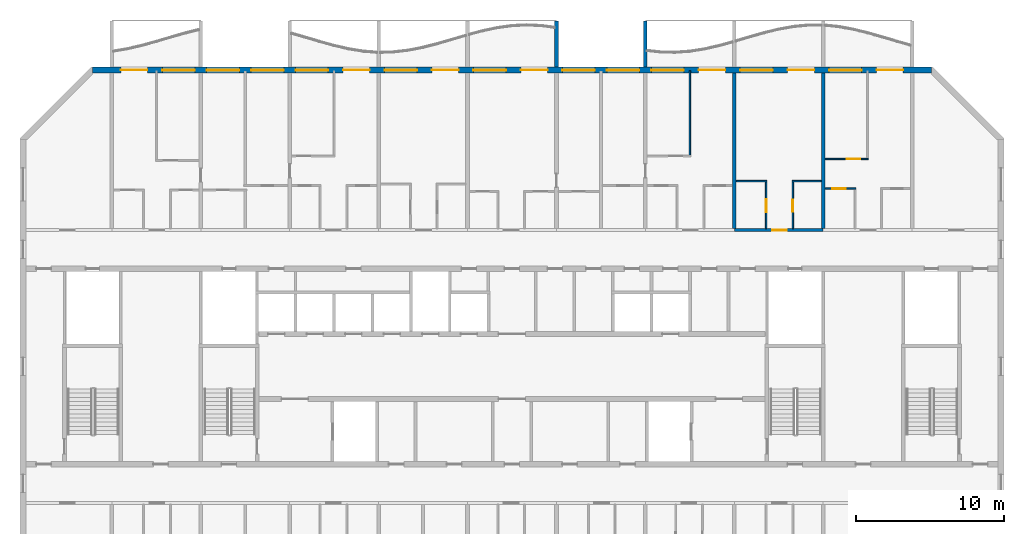
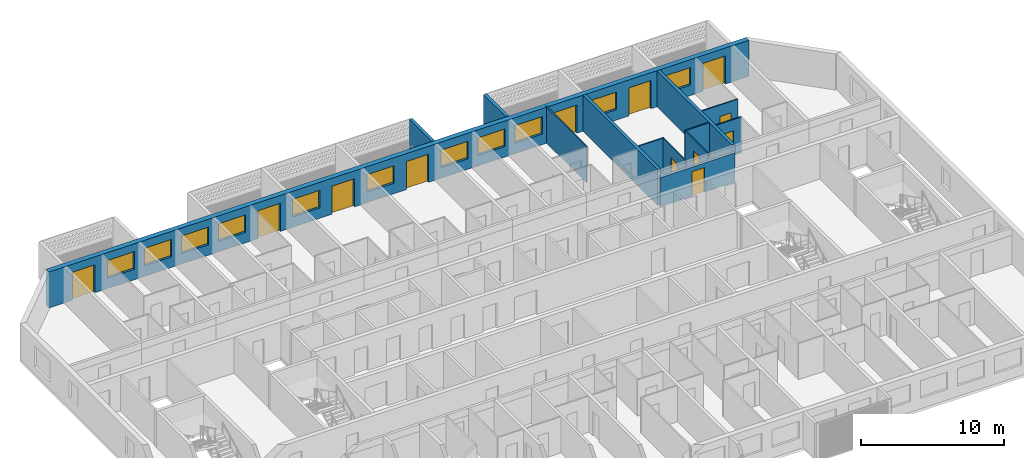
# One storey, part 10 of 29: 13 walls, 12 doors, 11 windows, 23 openings.
"""IFC4 building model written with IfcOpenShell, lengths in metres."""

from ifc_helpers import new_model, si_unit, direction, frame, frame_2d, origin, place, context, subcontext, project, spatial, polyline, rectangle, outline, extrude, source, transform, mapped, material, layer, layer_set, type_object, element, fill, save


model = new_model("IFC4")

# Units and contexts
model_context = context("Model", 3, precision=1e-05, world=origin(), true_north=direction((0.0, 1.0)))
body_context = subcontext(model_context, "Body", "Model", "MODEL_VIEW")
ifc_project = project(units=[si_unit("LENGTHUNIT", "METRE"), si_unit("AREAUNIT", "SQUARE_METRE"), si_unit("VOLUMEUNIT", "CUBIC_METRE"), si_unit("PLANEANGLEUNIT", "RADIAN"), si_unit("MASSUNIT", "GRAM", prefix="KILO")], contexts=[model_context])

# Site, building, storey
site_placement = place(None, origin())
site = spatial("IfcSite", under=ifc_project, at=site_placement, CompositionType="ELEMENT")
building_placement = place(site_placement, origin())
building = spatial("IfcBuilding", under=site, at=building_placement, Name="Poui Terraces", CompositionType="ELEMENT")
storey_placement = place(building_placement, frame((0.0, 0.0, 231.300048828125)))
storey = spatial("IfcBuildingStorey", under=building, at=storey_placement, Name="L64", CompositionType="ELEMENT", Elevation=231.300048828125)

# Wall, opening, door
ifc_material_1 = material(Name="Concrete 50 MPa", Category="concrete")
ifc_layer_1 = layer(ifc_material_1, 0.199951171875)
ifc_layer_set_1 = layer_set([ifc_layer_1], Name="Concrete 50 MPa")
wall_type_1 = type_object("IfcWallType", Name="CORRIDOR WALL 200 50MPa", PredefinedType="SHEAR", material=ifc_layer_set_1)
wall_1_placement = place(storey_placement, frame((66.0, 30.39990234375, 0.0), z_axis=(0.0, 0.0, 1.0), x_axis=(1.0, 0.0, 0.0)))
wall_1 = element("IfcWall", 1, at=wall_1_placement, inside=storey, type_object=wall_type_1, Name="CORRIDOR WALL LINE E BAY 9", PredefinedType="SHEAR", context=body_context, shape_type="SweptSolid", body=[
    extrude(rectangle(XDim=6.0, YDim=0.199951171875, at=frame_2d((3.0, 0.0))), origin(), (0.0, 0.0, 1.0), 2.47998046875),
])
opening_1_placement = place(wall_1_placement, frame((2.550048828125, 0.0, 0.0)))
opening_1 = element("IfcOpeningElement", 2, at=opening_1_placement, cuts=wall_1, Name="Opening FD30S", PredefinedType="OPENING", context=body_context, shape_type="SweptSolid", body=[
    extrude(rectangle(XDim=1.0, YDim=2.10009765625, at=frame_2d((0.5, 1.050048828125))), frame((0.0, 0.10986328125, 0.0), z_axis=(0.0, -1.0, 0.0), x_axis=(1.0, 0.0, 0.0)), (0.0, 0.0, 1.0), 0.219970703125),
])
ifc_material_2 = material(Name="Steel fire door", Category="steel")
door_type_1 = type_object("IfcDoorType", Name="FLAT ENTRANCE DOOR 1000 X 2100", OperationType="NOTDEFINED", PredefinedType="DOOR", material=ifc_material_2)
door_1_placement = place(opening_1_placement, origin())
door_1 = element("IfcDoor", 3, at=door_1_placement, inside=storey, type_object=door_type_1, Name="FLAT ENTRANCE DOOR 056", OperationType="SINGLE_SWING_RIGHT", OverallHeight=2.10009765625, OverallWidth=1.0, PredefinedType="DOOR", context=body_context, shape_type="SweptSolid", body=[
    extrude(rectangle(XDim=1.0, YDim=2.10009765625, at=frame_2d((0.5, 1.050048828125))), frame((0.0, 0.02490234375, 0.0), z_axis=(0.0, -1.0, 0.0), x_axis=(1.0, 0.0, 0.0)), (0.0, 0.0, 1.0), 0.050048828125),
])
fill(opening_1, door_1)

# Walls
ifc_layer_2 = layer(ifc_material_1, 0.25)
ifc_layer_set_2 = layer_set([ifc_layer_2], Name="Concrete 50 MPa")
wall_type_2 = type_object("IfcWallType", Name="CROSS WALL 250 50MPa", PredefinedType="SHEAR", material=ifc_layer_set_2)
for number, where, z_axis, x_axis, name in (
    (4, (66.0, 30.5, 0.0), (0.0, 0.0, 1.0), (0.0, 1.0, 0.0), "CROSS WALL LINE 12 NORTH"),
    (5, (72.0, 30.5, 0.0), (0.0, 0.0, 1.0), (0.0, 1.0, 0.0), "CROSS WALL LINE 13 NORTH"),
):
    element("IfcWall", number, at=place(storey_placement, frame(where, z_axis=z_axis, x_axis=x_axis)), inside=storey, type_object=wall_type_2, Name=name, PredefinedType="SHEAR", context=body_context, shape_type="SweptSolid", body=[
        extrude(rectangle(XDim=10.5, YDim=0.25, at=frame_2d((5.25, 0.0))), origin(), (0.0, 0.0, 1.0), 3.079833984375),
    ])

# Wall, openings, doors, windows
ifc_material_3 = material(Name="Precast concrete 40 MPa", Category="concrete")
ifc_layer_3 = layer(ifc_material_3, 0.39990234375)
ifc_layer_set_3 = layer_set([ifc_layer_3], Name="Precast concrete 40 MPa")
wall_type_3 = type_object("IfcWallType", Name="EXTERNAL WALL 400", PredefinedType="STANDARD", material=ifc_layer_set_3)
wall_2_placement = place(storey_placement, frame((79.317138671875, 41.199951171875, 0.0), z_axis=(0.0, 0.0, 1.0), x_axis=(-1.0, 0.0, 0.0)))
wall_2 = element("IfcWall", 6, at=wall_2_placement, inside=storey, type_object=wall_type_3, Name="EXTERNAL WALL N", PredefinedType="STANDARD", context=body_context, shape_type="SweptSolid", body=[
    extrude(rectangle(XDim=56.63427734375, YDim=0.39990234375, at=frame_2d((28.317138671875, 0.0))), origin(), (0.0, 0.0, 1.0), 3.079833984375),
])
opening_2_placement = place(wall_2_placement, frame((52.917236328125, 0.0, 0.0)))
opening_2 = element("IfcOpeningElement", 7, at=opening_2_placement, cuts=wall_2, Name="Opening BD1", PredefinedType="OPENING", context=body_context, shape_type="SweptSolid", body=[
    extrude(rectangle(XDim=1.800048828125, YDim=2.39990234375, at=frame_2d((0.89990234375, 1.199951171875))), frame((0.0, 0.2099609375, 0.0), z_axis=(0.0, -1.0, 0.0), x_axis=(1.0, 0.0, 0.0)), (0.0, 0.0, 1.0), 0.419921875),
])
opening_3_placement = place(wall_2_placement, frame((49.71728515625, 0.0, 0.89990234375)))
opening_3 = element("IfcOpeningElement", 8, at=opening_3_placement, cuts=wall_2, Name="Opening W1", PredefinedType="OPENING", context=body_context, shape_type="SweptSolid", body=[
    extrude(rectangle(XDim=2.199951171875, YDim=1.5, at=frame_2d((1.10009765625, 0.75))), frame((0.0, 0.2099609375, 0.0), z_axis=(0.0, -1.0, 0.0), x_axis=(1.0, 0.0, 0.0)), (0.0, 0.0, 1.0), 0.419921875),
])
opening_4_placement = place(wall_2_placement, frame((46.71728515625, 0.0, 0.89990234375)))
opening_4 = element("IfcOpeningElement", 9, at=opening_4_placement, cuts=wall_2, Name="Opening W1", PredefinedType="OPENING", context=body_context, shape_type="SweptSolid", body=[
    extrude(rectangle(XDim=2.199951171875, YDim=1.5, at=frame_2d((1.10009765625, 0.75))), frame((0.0, 0.2099609375, 0.0), z_axis=(0.0, -1.0, 0.0), x_axis=(1.0, 0.0, 0.0)), (0.0, 0.0, 1.0), 0.419921875),
])
opening_5_placement = place(wall_2_placement, frame((43.71728515625, 0.0, 0.89990234375)))
opening_5 = element("IfcOpeningElement", 10, at=opening_5_placement, cuts=wall_2, Name="Opening W1", PredefinedType="OPENING", context=body_context, shape_type="SweptSolid", body=[
    extrude(rectangle(XDim=2.199951171875, YDim=1.5, at=frame_2d((1.10009765625, 0.75))), frame((0.0, 0.2099609375, 0.0), z_axis=(0.0, -1.0, 0.0), x_axis=(1.0, 0.0, 0.0)), (0.0, 0.0, 1.0), 0.419921875),
])
opening_6_placement = place(wall_2_placement, frame((40.71728515625, 0.0, 0.89990234375)))
opening_6 = element("IfcOpeningElement", 11, at=opening_6_placement, cuts=wall_2, Name="Opening W1", PredefinedType="OPENING", context=body_context, shape_type="SweptSolid", body=[
    extrude(rectangle(XDim=2.199951171875, YDim=1.5, at=frame_2d((1.10009765625, 0.75))), frame((0.0, 0.2099609375, 0.0), z_axis=(0.0, -1.0, 0.0), x_axis=(1.0, 0.0, 0.0)), (0.0, 0.0, 1.0), 0.419921875),
])
opening_7_placement = place(wall_2_placement, frame((37.917236328125, 0.0, 0.0)))
opening_7 = element("IfcOpeningElement", 12, at=opening_7_placement, cuts=wall_2, Name="Opening BD1", PredefinedType="OPENING", context=body_context, shape_type="SweptSolid", body=[
    extrude(rectangle(XDim=1.800048828125, YDim=2.39990234375, at=frame_2d((0.89990234375, 1.199951171875))), frame((0.0, 0.2099609375, 0.0), z_axis=(0.0, -1.0, 0.0), x_axis=(1.0, 0.0, 0.0)), (0.0, 0.0, 1.0), 0.419921875),
])
opening_8_placement = place(wall_2_placement, frame((34.71728515625, 0.0, 0.89990234375)))
opening_8 = element("IfcOpeningElement", 13, at=opening_8_placement, cuts=wall_2, Name="Opening W1", PredefinedType="OPENING", context=body_context, shape_type="SweptSolid", body=[
    extrude(rectangle(XDim=2.199951171875, YDim=1.5, at=frame_2d((1.10009765625, 0.75))), frame((0.0, 0.2099609375, 0.0), z_axis=(0.0, -1.0, 0.0), x_axis=(1.0, 0.0, 0.0)), (0.0, 0.0, 1.0), 0.419921875),
])
opening_9_placement = place(wall_2_placement, frame((31.917236328125, 0.0, 0.0)))
opening_9 = element("IfcOpeningElement", 14, at=opening_9_placement, cuts=wall_2, Name="Opening BD1", PredefinedType="OPENING", context=body_context, shape_type="SweptSolid", body=[
    extrude(rectangle(XDim=1.800048828125, YDim=2.39990234375, at=frame_2d((0.89990234375, 1.199951171875))), frame((0.0, 0.2099609375, 0.0), z_axis=(0.0, -1.0, 0.0), x_axis=(1.0, 0.0, 0.0)), (0.0, 0.0, 1.0), 0.419921875),
])
opening_10_placement = place(wall_2_placement, frame((28.71728515625, 0.0, 0.89990234375)))
opening_10 = element("IfcOpeningElement", 15, at=opening_10_placement, cuts=wall_2, Name="Opening W1", PredefinedType="OPENING", context=body_context, shape_type="SweptSolid", body=[
    extrude(rectangle(XDim=2.199951171875, YDim=1.5, at=frame_2d((1.10009765625, 0.75))), frame((0.0, 0.2099609375, 0.0), z_axis=(0.0, -1.0, 0.0), x_axis=(1.0, 0.0, 0.0)), (0.0, 0.0, 1.0), 0.419921875),
])
opening_11_placement = place(wall_2_placement, frame((25.917236328125, 0.0, 0.0)))
opening_11 = element("IfcOpeningElement", 16, at=opening_11_placement, cuts=wall_2, Name="Opening BD1", PredefinedType="OPENING", context=body_context, shape_type="SweptSolid", body=[
    extrude(rectangle(XDim=1.800048828125, YDim=2.39990234375, at=frame_2d((0.89990234375, 1.199951171875))), frame((0.0, 0.2099609375, 0.0), z_axis=(0.0, -1.0, 0.0), x_axis=(1.0, 0.0, 0.0)), (0.0, 0.0, 1.0), 0.419921875),
])
opening_12_placement = place(wall_2_placement, frame((22.71728515625, 0.0, 0.89990234375)))
opening_12 = element("IfcOpeningElement", 17, at=opening_12_placement, cuts=wall_2, Name="Opening W1", PredefinedType="OPENING", context=body_context, shape_type="SweptSolid", body=[
    extrude(rectangle(XDim=2.199951171875, YDim=1.5, at=frame_2d((1.10009765625, 0.75))), frame((0.0, 0.2099609375, 0.0), z_axis=(0.0, -1.0, 0.0), x_axis=(1.0, 0.0, 0.0)), (0.0, 0.0, 1.0), 0.419921875),
])
opening_13_placement = place(wall_2_placement, frame((19.71728515625, 0.0, 0.89990234375)))
opening_13 = element("IfcOpeningElement", 18, at=opening_13_placement, cuts=wall_2, Name="Opening W1", PredefinedType="OPENING", context=body_context, shape_type="SweptSolid", body=[
    extrude(rectangle(XDim=2.199951171875, YDim=1.5, at=frame_2d((1.10009765625, 0.75))), frame((0.0, 0.2099609375, 0.0), z_axis=(0.0, -1.0, 0.0), x_axis=(1.0, 0.0, 0.0)), (0.0, 0.0, 1.0), 0.419921875),
])
opening_14_placement = place(wall_2_placement, frame((16.71728515625, 0.0, 0.89990234375)))
opening_14 = element("IfcOpeningElement", 19, at=opening_14_placement, cuts=wall_2, Name="Opening W1", PredefinedType="OPENING", context=body_context, shape_type="SweptSolid", body=[
    extrude(rectangle(XDim=2.199951171875, YDim=1.5, at=frame_2d((1.10009765625, 0.75))), frame((0.0, 0.2099609375, 0.0), z_axis=(0.0, -1.0, 0.0), x_axis=(1.0, 0.0, 0.0)), (0.0, 0.0, 1.0), 0.419921875),
])
opening_15_placement = place(wall_2_placement, frame((13.917236328125, 0.0, 0.0)))
opening_15 = element("IfcOpeningElement", 20, at=opening_15_placement, cuts=wall_2, Name="Opening BD1", PredefinedType="OPENING", context=body_context, shape_type="SweptSolid", body=[
    extrude(rectangle(XDim=1.800048828125, YDim=2.39990234375, at=frame_2d((0.89990234375, 1.199951171875))), frame((0.0, 0.2099609375, 0.0), z_axis=(0.0, -1.0, 0.0), x_axis=(1.0, 0.0, 0.0)), (0.0, 0.0, 1.0), 0.419921875),
])
opening_16_placement = place(wall_2_placement, frame((10.71728515625, 0.0, 0.89990234375)))
opening_16 = element("IfcOpeningElement", 21, at=opening_16_placement, cuts=wall_2, Name="Opening W1", PredefinedType="OPENING", context=body_context, shape_type="SweptSolid", body=[
    extrude(rectangle(XDim=2.199951171875, YDim=1.5, at=frame_2d((1.10009765625, 0.75))), frame((0.0, 0.2099609375, 0.0), z_axis=(0.0, -1.0, 0.0), x_axis=(1.0, 0.0, 0.0)), (0.0, 0.0, 1.0), 0.419921875),
])
opening_17_placement = place(wall_2_placement, frame((7.917236328125, 0.0, 0.0)))
opening_17 = element("IfcOpeningElement", 22, at=opening_17_placement, cuts=wall_2, Name="Opening BD1", PredefinedType="OPENING", context=body_context, shape_type="SweptSolid", body=[
    extrude(rectangle(XDim=1.800048828125, YDim=2.39990234375, at=frame_2d((0.89990234375, 1.199951171875))), frame((0.0, 0.2099609375, 0.0), z_axis=(0.0, -1.0, 0.0), x_axis=(1.0, 0.0, 0.0)), (0.0, 0.0, 1.0), 0.419921875),
])
opening_18_placement = place(wall_2_placement, frame((4.71728515625, 0.0, 0.89990234375)))
opening_18 = element("IfcOpeningElement", 23, at=opening_18_placement, cuts=wall_2, Name="Opening W1", PredefinedType="OPENING", context=body_context, shape_type="SweptSolid", body=[
    extrude(rectangle(XDim=2.199951171875, YDim=1.5, at=frame_2d((1.10009765625, 0.75))), frame((0.0, 0.2099609375, 0.0), z_axis=(0.0, -1.0, 0.0), x_axis=(1.0, 0.0, 0.0)), (0.0, 0.0, 1.0), 0.419921875),
])
opening_19_placement = place(wall_2_placement, frame((1.917236328125, 0.0, 0.0)))
opening_19 = element("IfcOpeningElement", 24, at=opening_19_placement, cuts=wall_2, Name="Opening BD1", PredefinedType="OPENING", context=body_context, shape_type="SweptSolid", body=[
    extrude(rectangle(XDim=1.800048828125, YDim=2.39990234375, at=frame_2d((0.89990234375, 1.199951171875))), frame((0.0, 0.2099609375, 0.0), z_axis=(0.0, -1.0, 0.0), x_axis=(1.0, 0.0, 0.0)), (0.0, 0.0, 1.0), 0.419921875),
])
ifc_material_4 = material(Name="Clear glass in aluminium frame", Category="aluminium")
door_type_2 = type_object("IfcDoorType", Name="BALCONY DOOR 1800X2400", OperationType="DOUBLE_DOOR_SLIDING", PredefinedType="DOOR", material=ifc_material_4)
door_2_placement = place(opening_2_placement, origin())
door_2 = element("IfcDoor", 25, at=door_2_placement, inside=storey, type_object=door_type_2, Name="BD1 BALCONY DOOR", OperationType="DOUBLE_DOOR_SLIDING", OverallHeight=2.39990234375, OverallWidth=1.800048828125, PredefinedType="DOOR", context=body_context, shape_type="SweptSolid", body=[
    extrude(rectangle(XDim=1.800048828125, YDim=2.39990234375, at=frame_2d((0.89990234375, 1.199951171875))), frame((0.0, 0.02490234375, 0.0), z_axis=(0.0, -1.0, 0.0), x_axis=(1.0, 0.0, 0.0)), (0.0, 0.0, 1.0), 0.050048828125),
])
fill(opening_2, door_2)
door_3_placement = place(opening_7_placement, origin())
door_3 = element("IfcDoor", 26, at=door_3_placement, inside=storey, type_object=door_type_2, Name="BD1 BALCONY DOOR", OperationType="DOUBLE_DOOR_SLIDING", OverallHeight=2.39990234375, OverallWidth=1.800048828125, PredefinedType="DOOR", context=body_context, shape_type="SweptSolid", body=[
    extrude(rectangle(XDim=1.800048828125, YDim=2.39990234375, at=frame_2d((0.89990234375, 1.199951171875))), frame((0.0, 0.02490234375, 0.0), z_axis=(0.0, -1.0, 0.0), x_axis=(1.0, 0.0, 0.0)), (0.0, 0.0, 1.0), 0.050048828125),
])
fill(opening_7, door_3)
door_4_placement = place(opening_9_placement, origin())
door_4 = element("IfcDoor", 27, at=door_4_placement, inside=storey, type_object=door_type_2, Name="BD1 BALCONY DOOR", OperationType="DOUBLE_DOOR_SLIDING", OverallHeight=2.39990234375, OverallWidth=1.800048828125, PredefinedType="DOOR", context=body_context, shape_type="SweptSolid", body=[
    extrude(rectangle(XDim=1.800048828125, YDim=2.39990234375, at=frame_2d((0.89990234375, 1.199951171875))), frame((0.0, 0.02490234375, 0.0), z_axis=(0.0, -1.0, 0.0), x_axis=(1.0, 0.0, 0.0)), (0.0, 0.0, 1.0), 0.050048828125),
])
fill(opening_9, door_4)
door_5_placement = place(opening_11_placement, origin())
door_5 = element("IfcDoor", 28, at=door_5_placement, inside=storey, type_object=door_type_2, Name="BD1 BALCONY DOOR", OperationType="DOUBLE_DOOR_SLIDING", OverallHeight=2.39990234375, OverallWidth=1.800048828125, PredefinedType="DOOR", context=body_context, shape_type="SweptSolid", body=[
    extrude(rectangle(XDim=1.800048828125, YDim=2.39990234375, at=frame_2d((0.89990234375, 1.199951171875))), frame((0.0, 0.02490234375, 0.0), z_axis=(0.0, -1.0, 0.0), x_axis=(1.0, 0.0, 0.0)), (0.0, 0.0, 1.0), 0.050048828125),
])
fill(opening_11, door_5)
door_6_placement = place(opening_15_placement, origin())
door_6 = element("IfcDoor", 29, at=door_6_placement, inside=storey, type_object=door_type_2, Name="BD1 BALCONY DOOR", OperationType="DOUBLE_DOOR_SLIDING", OverallHeight=2.39990234375, OverallWidth=1.800048828125, PredefinedType="DOOR", context=body_context, shape_type="SweptSolid", body=[
    extrude(rectangle(XDim=1.800048828125, YDim=2.39990234375, at=frame_2d((0.89990234375, 1.199951171875))), frame((0.0, 0.02490234375, 0.0), z_axis=(0.0, -1.0, 0.0), x_axis=(1.0, 0.0, 0.0)), (0.0, 0.0, 1.0), 0.050048828125),
])
fill(opening_15, door_6)
door_7_placement = place(opening_17_placement, origin())
door_7 = element("IfcDoor", 30, at=door_7_placement, inside=storey, type_object=door_type_2, Name="BD1 BALCONY DOOR", OperationType="DOUBLE_DOOR_SLIDING", OverallHeight=2.39990234375, OverallWidth=1.800048828125, PredefinedType="DOOR", context=body_context, shape_type="SweptSolid", body=[
    extrude(rectangle(XDim=1.800048828125, YDim=2.39990234375, at=frame_2d((0.89990234375, 1.199951171875))), frame((0.0, 0.02490234375, 0.0), z_axis=(0.0, -1.0, 0.0), x_axis=(1.0, 0.0, 0.0)), (0.0, 0.0, 1.0), 0.050048828125),
])
fill(opening_17, door_7)
door_8_placement = place(opening_19_placement, origin())
door_8 = element("IfcDoor", 31, at=door_8_placement, inside=storey, type_object=door_type_2, Name="BD1 BALCONY DOOR", OperationType="DOUBLE_DOOR_SLIDING", OverallHeight=2.39990234375, OverallWidth=1.800048828125, PredefinedType="DOOR", context=body_context, shape_type="SweptSolid", body=[
    extrude(rectangle(XDim=1.800048828125, YDim=2.39990234375, at=frame_2d((0.89990234375, 1.199951171875))), frame((0.0, 0.02490234375, 0.0), z_axis=(0.0, -1.0, 0.0), x_axis=(1.0, 0.0, 0.0)), (0.0, 0.0, 1.0), 0.050048828125),
])
fill(opening_19, door_8)
window_type = type_object("IfcWindowType", Name="WINDOW 2200X1500", PartitioningType="DOUBLE_PANEL_HORIZONTAL", PredefinedType="WINDOW", material=ifc_material_4)
window_1_placement = place(opening_3_placement, origin())
window_1 = element("IfcWindow", 32, at=window_1_placement, inside=storey, type_object=window_type, Name="W1 WINDOW", OverallHeight=1.5, OverallWidth=2.199951171875, PartitioningType="DOUBLE_PANEL_HORIZONTAL", PredefinedType="WINDOW", context=body_context, shape_type="SweptSolid", body=[
    extrude(rectangle(XDim=2.199951171875, YDim=1.5, at=frame_2d((1.10009765625, 0.75))), frame((0.0, 0.030029296875, 0.0), z_axis=(0.0, -1.0, 0.0), x_axis=(1.0, 0.0, 0.0)), (0.0, 0.0, 1.0), 0.06005859375),
])
fill(opening_3, window_1)
window_2_placement = place(opening_4_placement, origin())
window_2 = element("IfcWindow", 33, at=window_2_placement, inside=storey, type_object=window_type, Name="W1 WINDOW", OverallHeight=1.5, OverallWidth=2.199951171875, PartitioningType="DOUBLE_PANEL_HORIZONTAL", PredefinedType="WINDOW", context=body_context, shape_type="SweptSolid", body=[
    extrude(rectangle(XDim=2.199951171875, YDim=1.5, at=frame_2d((1.10009765625, 0.75))), frame((0.0, 0.030029296875, 0.0), z_axis=(0.0, -1.0, 0.0), x_axis=(1.0, 0.0, 0.0)), (0.0, 0.0, 1.0), 0.06005859375),
])
fill(opening_4, window_2)
window_3_placement = place(opening_5_placement, origin())
window_3 = element("IfcWindow", 34, at=window_3_placement, inside=storey, type_object=window_type, Name="W1 WINDOW", OverallHeight=1.5, OverallWidth=2.199951171875, PartitioningType="DOUBLE_PANEL_HORIZONTAL", PredefinedType="WINDOW", context=body_context, shape_type="SweptSolid", body=[
    extrude(rectangle(XDim=2.199951171875, YDim=1.5, at=frame_2d((1.10009765625, 0.75))), frame((0.0, 0.030029296875, 0.0), z_axis=(0.0, -1.0, 0.0), x_axis=(1.0, 0.0, 0.0)), (0.0, 0.0, 1.0), 0.06005859375),
])
fill(opening_5, window_3)
window_4_placement = place(opening_6_placement, origin())
window_4 = element("IfcWindow", 35, at=window_4_placement, inside=storey, type_object=window_type, Name="W1 WINDOW", OverallHeight=1.5, OverallWidth=2.199951171875, PartitioningType="DOUBLE_PANEL_HORIZONTAL", PredefinedType="WINDOW", context=body_context, shape_type="SweptSolid", body=[
    extrude(rectangle(XDim=2.199951171875, YDim=1.5, at=frame_2d((1.10009765625, 0.75))), frame((0.0, 0.030029296875, 0.0), z_axis=(0.0, -1.0, 0.0), x_axis=(1.0, 0.0, 0.0)), (0.0, 0.0, 1.0), 0.06005859375),
])
fill(opening_6, window_4)
window_5_placement = place(opening_8_placement, origin())
window_5 = element("IfcWindow", 36, at=window_5_placement, inside=storey, type_object=window_type, Name="W1 WINDOW", OverallHeight=1.5, OverallWidth=2.199951171875, PartitioningType="DOUBLE_PANEL_HORIZONTAL", PredefinedType="WINDOW", context=body_context, shape_type="SweptSolid", body=[
    extrude(rectangle(XDim=2.199951171875, YDim=1.5, at=frame_2d((1.10009765625, 0.75))), frame((0.0, 0.030029296875, 0.0), z_axis=(0.0, -1.0, 0.0), x_axis=(1.0, 0.0, 0.0)), (0.0, 0.0, 1.0), 0.06005859375),
])
fill(opening_8, window_5)
window_6_placement = place(opening_10_placement, origin())
window_6 = element("IfcWindow", 37, at=window_6_placement, inside=storey, type_object=window_type, Name="W1 WINDOW", OverallHeight=1.5, OverallWidth=2.199951171875, PartitioningType="DOUBLE_PANEL_HORIZONTAL", PredefinedType="WINDOW", context=body_context, shape_type="SweptSolid", body=[
    extrude(rectangle(XDim=2.199951171875, YDim=1.5, at=frame_2d((1.10009765625, 0.75))), frame((0.0, 0.030029296875, 0.0), z_axis=(0.0, -1.0, 0.0), x_axis=(1.0, 0.0, 0.0)), (0.0, 0.0, 1.0), 0.06005859375),
])
fill(opening_10, window_6)
window_7_placement = place(opening_12_placement, origin())
window_7 = element("IfcWindow", 38, at=window_7_placement, inside=storey, type_object=window_type, Name="W1 WINDOW", OverallHeight=1.5, OverallWidth=2.199951171875, PartitioningType="DOUBLE_PANEL_HORIZONTAL", PredefinedType="WINDOW", context=body_context, shape_type="SweptSolid", body=[
    extrude(rectangle(XDim=2.199951171875, YDim=1.5, at=frame_2d((1.10009765625, 0.75))), frame((0.0, 0.030029296875, 0.0), z_axis=(0.0, -1.0, 0.0), x_axis=(1.0, 0.0, 0.0)), (0.0, 0.0, 1.0), 0.06005859375),
])
fill(opening_12, window_7)
window_8_placement = place(opening_13_placement, origin())
window_8 = element("IfcWindow", 39, at=window_8_placement, inside=storey, type_object=window_type, Name="W1 WINDOW", OverallHeight=1.5, OverallWidth=2.199951171875, PartitioningType="DOUBLE_PANEL_HORIZONTAL", PredefinedType="WINDOW", context=body_context, shape_type="SweptSolid", body=[
    extrude(rectangle(XDim=2.199951171875, YDim=1.5, at=frame_2d((1.10009765625, 0.75))), frame((0.0, 0.030029296875, 0.0), z_axis=(0.0, -1.0, 0.0), x_axis=(1.0, 0.0, 0.0)), (0.0, 0.0, 1.0), 0.06005859375),
])
fill(opening_13, window_8)
window_9_placement = place(opening_14_placement, origin())
window_9 = element("IfcWindow", 40, at=window_9_placement, inside=storey, type_object=window_type, Name="W1 WINDOW", OverallHeight=1.5, OverallWidth=2.199951171875, PartitioningType="DOUBLE_PANEL_HORIZONTAL", PredefinedType="WINDOW", context=body_context, shape_type="SweptSolid", body=[
    extrude(rectangle(XDim=2.199951171875, YDim=1.5, at=frame_2d((1.10009765625, 0.75))), frame((0.0, 0.030029296875, 0.0), z_axis=(0.0, -1.0, 0.0), x_axis=(1.0, 0.0, 0.0)), (0.0, 0.0, 1.0), 0.06005859375),
])
fill(opening_14, window_9)
window_10_placement = place(opening_16_placement, origin())
window_10 = element("IfcWindow", 41, at=window_10_placement, inside=storey, type_object=window_type, Name="W1 WINDOW", OverallHeight=1.5, OverallWidth=2.199951171875, PartitioningType="DOUBLE_PANEL_HORIZONTAL", PredefinedType="WINDOW", context=body_context, shape_type="SweptSolid", body=[
    extrude(rectangle(XDim=2.199951171875, YDim=1.5, at=frame_2d((1.10009765625, 0.75))), frame((0.0, 0.030029296875, 0.0), z_axis=(0.0, -1.0, 0.0), x_axis=(1.0, 0.0, 0.0)), (0.0, 0.0, 1.0), 0.06005859375),
])
fill(opening_16, window_10)
window_11_placement = place(opening_18_placement, origin())
window_11 = element("IfcWindow", 42, at=window_11_placement, inside=storey, type_object=window_type, Name="W1 WINDOW", OverallHeight=1.5, OverallWidth=2.199951171875, PartitioningType="DOUBLE_PANEL_HORIZONTAL", PredefinedType="WINDOW", context=body_context, shape_type="SweptSolid", body=[
    extrude(rectangle(XDim=2.199951171875, YDim=1.5, at=frame_2d((1.10009765625, 0.75))), frame((0.0, 0.030029296875, 0.0), z_axis=(0.0, -1.0, 0.0), x_axis=(1.0, 0.0, 0.0)), (0.0, 0.0, 1.0), 0.06005859375),
])
fill(opening_18, window_11)

# Wall, opening, door
ifc_material_5 = material(Name="Plasterboard partition")
ifc_layer_4 = layer(ifc_material_5, 0.10009765625)
ifc_layer_set_4 = layer_set([ifc_layer_4], Name="Plasterboard partition")
wall_type_4 = type_object("IfcWallType", Name="FLAT PARTITION 100", PredefinedType="PARTITIONING", material=ifc_layer_set_4)
wall_3_placement = place(storey_placement, frame((72.135009765625, 33.199951171875, 0.0), z_axis=(0.0, 0.0, 1.0), x_axis=(1.0, 0.0, 0.0)))
wall_3 = element("IfcWall", 43, at=wall_3_placement, inside=storey, type_object=wall_type_4, Name="FLAT PARTITION 100", PredefinedType="PARTITIONING", context=body_context, shape_type="SweptSolid", body=[
    extrude(rectangle(XDim=2.06494140625, YDim=0.10009765625, at=frame_2d((1.032470703125, 0.0))), origin(), (0.0, 0.0, 1.0), 3.079833984375),
])
opening_20_placement = place(wall_3_placement, frame((0.489990234375, 0.0, 0.0)))
opening_20 = element("IfcOpeningElement", 44, at=opening_20_placement, cuts=wall_3, Name="Opening D90", PredefinedType="OPENING", context=body_context, shape_type="SweptSolid", body=[
    extrude(rectangle(XDim=0.89990234375, YDim=2.10009765625, at=frame_2d((0.449951171875, 1.050048828125))), frame((0.0, 0.06005859375, 0.0), z_axis=(0.0, -1.0, 0.0), x_axis=(1.0, 0.0, 0.0)), (0.0, 0.0, 1.0), 0.1201171875),
])
ifc_material_6 = material(Name="Solid core timber door", Category="wood")
door_type_3 = type_object("IfcDoorType", Name="INTERNAL DOOR 900 X 2100", OperationType="NOTDEFINED", PredefinedType="DOOR", material=ifc_material_6)
door_9_placement = place(opening_20_placement, frame((0.89990234375, 0.0, 0.0), z_axis=(0.0, 0.0, 1.0), x_axis=(-1.0, 0.0, 0.0)))
door_9 = element("IfcDoor", 45, at=door_9_placement, inside=storey, type_object=door_type_3, Name="INTERNAL DOOR 058", OperationType="SINGLE_SWING_LEFT", OverallHeight=2.10009765625, OverallWidth=0.89990234375, PredefinedType="DOOR", context=body_context, shape_type="SweptSolid", body=[
    extrude(rectangle(XDim=0.89990234375, YDim=2.10009765625, at=frame_2d((0.449951171875, 1.050048828125))), frame((0.0, 0.02490234375, 0.0), z_axis=(0.0, -1.0, 0.0), x_axis=(1.0, 0.0, 0.0)), (0.0, 0.0, 1.0), 0.050048828125),
])
fill(opening_20, door_9)

# Walls
wall_4_placement = place(storey_placement, frame((66.135009765625, 33.699951171875, 0.0), z_axis=(0.0, 0.0, 1.0), x_axis=(1.0, 0.0, 0.0)))
element("IfcWall", 46, at=wall_4_placement, inside=storey, type_object=wall_type_4, Name="FLAT PARTITION 100", PredefinedType="PARTITIONING", context=body_context, shape_type="SweptSolid", body=[
    extrude(rectangle(XDim=2.06494140625, YDim=0.10009765625, at=frame_2d((1.032470703125, 0.0))), origin(), (0.0, 0.0, 1.0), 3.079833984375),
])
wall_5_placement = place(storey_placement, frame((69.89990234375, 33.699951171875, 0.0), z_axis=(0.0, 0.0, 1.0), x_axis=(1.0, 0.0, 0.0)))
element("IfcWall", 47, at=wall_5_placement, inside=storey, type_object=wall_type_4, Name="FLAT PARTITION 100", PredefinedType="PARTITIONING", context=body_context, shape_type="SweptSolid", body=[
    extrude(rectangle(XDim=1.965087890625, YDim=0.10009765625, at=frame_2d((0.982421875, 0.0))), origin(), (0.0, 0.0, 1.0), 3.079833984375),
])

# Wall, opening, door
wall_6_placement = place(storey_placement, frame((72.135009765625, 35.199951171875, 0.0), z_axis=(0.0, 0.0, 1.0), x_axis=(1.0, 0.0, 0.0)))
wall_6 = element("IfcWall", 48, at=wall_6_placement, inside=storey, type_object=wall_type_4, Name="FLAT PARTITION 100", PredefinedType="PARTITIONING", context=body_context, shape_type="SweptSolid", body=[
    extrude(rectangle(XDim=2.9150390625, YDim=0.10009765625, at=frame_2d((1.45751953125, 0.0))), origin(), (0.0, 0.0, 1.0), 3.079833984375),
])
opening_21_placement = place(wall_6_placement, frame((1.465087890625, 0.0, 0.0)))
opening_21 = element("IfcOpeningElement", 49, at=opening_21_placement, cuts=wall_6, Name="Opening D90", PredefinedType="OPENING", context=body_context, shape_type="SweptSolid", body=[
    extrude(rectangle(XDim=0.89990234375, YDim=2.10009765625, at=frame_2d((0.449951171875, 1.050048828125))), frame((0.0, 0.06005859375, 0.0), z_axis=(0.0, -1.0, 0.0), x_axis=(1.0, 0.0, 0.0)), (0.0, 0.0, 1.0), 0.1201171875),
])
door_10_placement = place(opening_21_placement, frame((0.89990234375, 0.0, 0.0), z_axis=(0.0, 0.0, 1.0), x_axis=(-1.0, 0.0, 0.0)))
door_10 = element("IfcDoor", 50, at=door_10_placement, inside=storey, type_object=door_type_3, Name="INTERNAL DOOR 059", OperationType="SINGLE_SWING_RIGHT", OverallHeight=2.10009765625, OverallWidth=0.89990234375, PredefinedType="DOOR", context=body_context, shape_type="SweptSolid", body=[
    extrude(rectangle(XDim=0.89990234375, YDim=2.10009765625, at=frame_2d((0.449951171875, 1.050048828125))), frame((0.0, 0.02490234375, 0.0), z_axis=(0.0, -1.0, 0.0), x_axis=(1.0, 0.0, 0.0)), (0.0, 0.0, 1.0), 0.050048828125),
])
fill(opening_21, door_10)

# Wall
wall_7_placement = place(storey_placement, frame((63.0, 35.449951171875, 0.0), z_axis=(0.0, 0.0, 1.0), x_axis=(0.0, 1.0, 0.0)))
element("IfcWall", 51, at=wall_7_placement, inside=storey, type_object=wall_type_4, Name="FLAT PARTITION 100", PredefinedType="PARTITIONING", context=body_context, shape_type="SweptSolid", body=[
    extrude(rectangle(XDim=5.68994140625, YDim=0.10009765625, at=frame_2d((2.844970703125, 0.0))), origin(), (0.0, 0.0, 1.0), 3.079833984375),
])

# Wall, opening, door
wall_8_placement = place(storey_placement, frame((68.14990234375, 30.510009765625, 0.0), z_axis=(0.0, 0.0, 1.0), x_axis=(0.0, 1.0, 0.0)))
wall_8 = element("IfcWall", 52, at=wall_8_placement, inside=storey, type_object=wall_type_4, Name="FLAT PARTITION 100", PredefinedType="PARTITIONING", context=body_context, shape_type="SweptSolid", body=[
    extrude(rectangle(XDim=3.139892578125, YDim=0.10009765625, at=frame_2d((1.56982421875, 0.0))), origin(), (0.0, 0.0, 1.0), 3.079833984375),
])
opening_22_placement = place(wall_8_placement, frame((1.090087890625, 0.0, 0.0)))
opening_22 = element("IfcOpeningElement", 53, at=opening_22_placement, cuts=wall_8, Name="Opening D90", PredefinedType="OPENING", context=body_context, shape_type="SweptSolid", body=[
    extrude(rectangle(XDim=0.89990234375, YDim=2.10009765625, at=frame_2d((0.449951171875, 1.050048828125))), frame((0.0, 0.06005859375, 0.0), z_axis=(0.0, -1.0, 0.0), x_axis=(1.0, 0.0, 0.0)), (0.0, 0.0, 1.0), 0.1201171875),
])
door_11_placement = place(opening_22_placement, origin())
door_11 = element("IfcDoor", 54, at=door_11_placement, inside=storey, type_object=door_type_3, Name="INTERNAL DOOR 055", OperationType="SINGLE_SWING_RIGHT", OverallHeight=2.10009765625, OverallWidth=0.89990234375, PredefinedType="DOOR", context=body_context, shape_type="SweptSolid", body=[
    extrude(rectangle(XDim=0.89990234375, YDim=2.10009765625, at=frame_2d((0.449951171875, 1.050048828125))), frame((0.0, 0.02490234375, 0.0), z_axis=(0.0, -1.0, 0.0), x_axis=(1.0, 0.0, 0.0)), (0.0, 0.0, 1.0), 0.050048828125),
])
fill(opening_22, door_11)

wall_9_placement = place(storey_placement, frame((69.949951171875, 30.510009765625, 0.0), z_axis=(0.0, 0.0, 1.0), x_axis=(0.0, 1.0, 0.0)))
wall_9 = element("IfcWall", 55, at=wall_9_placement, inside=storey, type_object=wall_type_4, Name="FLAT PARTITION 100", PredefinedType="PARTITIONING", context=body_context, shape_type="SweptSolid", body=[
    extrude(rectangle(XDim=3.139892578125, YDim=0.10009765625, at=frame_2d((1.56982421875, 0.0))), origin(), (0.0, 0.0, 1.0), 3.079833984375),
])
opening_23_placement = place(wall_9_placement, frame((1.139892578125, 0.0, 0.0)))
opening_23 = element("IfcOpeningElement", 56, at=opening_23_placement, cuts=wall_9, Name="Opening D80", PredefinedType="OPENING", context=body_context, shape_type="SweptSolid", body=[
    extrude(rectangle(XDim=0.800048828125, YDim=2.10009765625, at=frame_2d((0.39990234375, 1.050048828125))), frame((0.0, 0.06005859375, 0.0), z_axis=(0.0, -1.0, 0.0), x_axis=(1.0, 0.0, 0.0)), (0.0, 0.0, 1.0), 0.1201171875),
])
door_type_4 = type_object("IfcDoorType", Name="BATHROOM, LAUNDRY AND STORE DOOR 800 X 2100", OperationType="NOTDEFINED", PredefinedType="DOOR", material=ifc_material_6)
door_12_placement = place(opening_23_placement, frame((0.800048828125, 0.0, 0.0), z_axis=(0.0, 0.0, 1.0), x_axis=(-1.0, 0.0, 0.0)))
door_12 = element("IfcDoor", 57, at=door_12_placement, inside=storey, type_object=door_type_4, Name="BATHROOM, LAUNDRY AND STORE DOOR 057", OperationType="SINGLE_SWING_RIGHT", OverallHeight=2.10009765625, OverallWidth=0.800048828125, PredefinedType="DOOR", context=body_context, shape_type="SweptSolid", body=[
    extrude(rectangle(XDim=0.800048828125, YDim=2.10009765625, at=frame_2d((0.39990234375, 1.050048828125))), frame((0.0, 0.02490234375, 0.0), z_axis=(0.0, -1.0, 0.0), x_axis=(1.0, 0.0, 0.0)), (0.0, 0.0, 1.0), 0.050048828125),
])
fill(opening_23, door_12)

# Walls
ifc_layer_5 = layer(ifc_material_3, 0.25)
ifc_layer_set_5 = layer_set([ifc_layer_5], Name="Precast concrete 40 MPa")
wall_type_5 = type_object("IfcWallType", Name="BALCONY FIN 250", PredefinedType="STANDARD", material=ifc_layer_set_5)
shared_shape = source(origin(), body_context, "Body", "SweptSolid", [
    extrude(outline(polyline([(0.0, 0.0), (0.25, 0.0), (0.25, 3.10009765625), (0.0, 3.10009765625), (0.0, 0.0)])), origin(), (0.0, 0.0, 1.0), 3.099853515625),
])
for number, where, name in (
    (58, (53.875, 41.39990234375, 0.0), "BALCONY FIN"),
    (59, (59.875, 41.39990234375, 0.0), "BALCONY FIN"),
):
    element("IfcWall", number, at=place(storey_placement, frame(where)), inside=storey, type_object=wall_type_5, Name=name, PredefinedType="STANDARD", context=body_context, shape_type="MappedRepresentation", body=[
        mapped(shared_shape, transform((0.0, 0.0, 0.0))),
    ])

save(model, "model.ifc")
